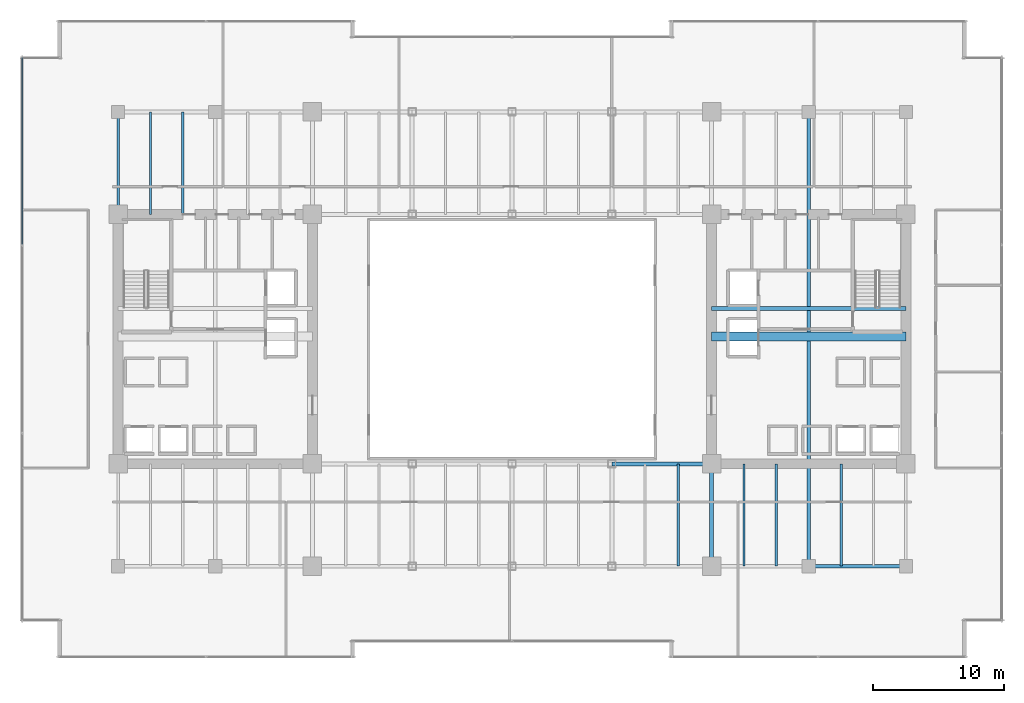
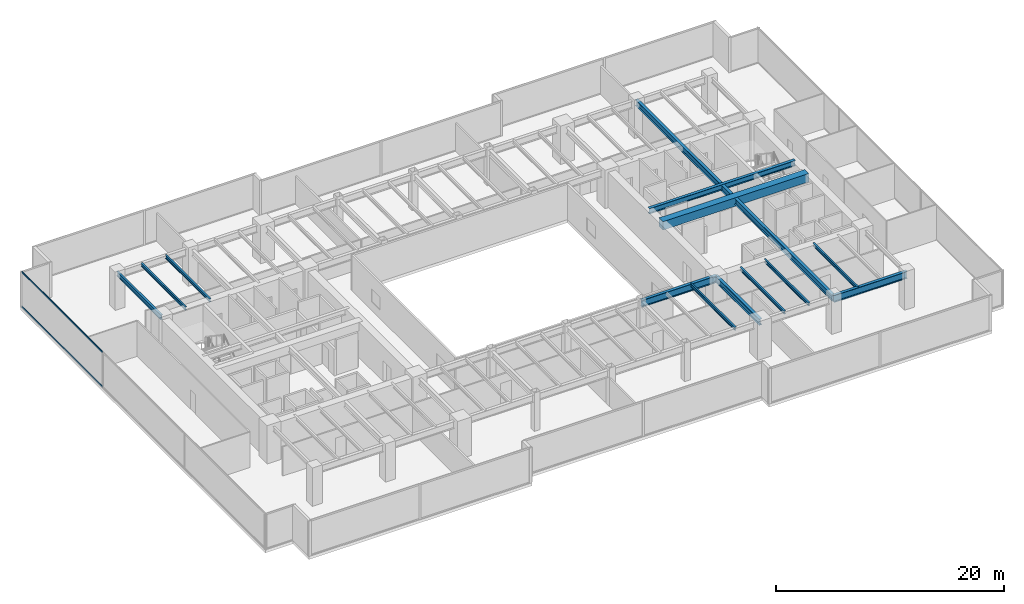
# One storey, part 11 of 35: 13 beams, 2 members, 1 element without a shape of its own.
"""IFC4 building model written with IfcOpenShell, lengths in metres."""

from ifc_helpers import new_model, si_unit, direction, frame, origin, origin_2d, place, context, subcontext, project, spatial, rectangle, hollow_rectangle, i_section, extrude, source, transform, mapped, material, layer, layer_set, material_profile, profile_set, type_object, type_shapes, element, aggregate, save


model = new_model("IFC4")

# Units and contexts
model_context = context("Model", 3, precision=1e-05, world=origin(), true_north=direction((0.0, 1.0)))
body_context = subcontext(model_context, "Body", "Model", "MODEL_VIEW")
ifc_project = project(units=[si_unit("LENGTHUNIT", "METRE"), si_unit("AREAUNIT", "SQUARE_METRE"), si_unit("VOLUMEUNIT", "CUBIC_METRE"), si_unit("PLANEANGLEUNIT", "RADIAN"), si_unit("MASSUNIT", "GRAM", prefix="KILO")], contexts=[model_context])

# Site, building, storey
site_placement = place(None, origin())
site = spatial("IfcSite", under=ifc_project, at=site_placement, CompositionType="ELEMENT")
building_placement = place(site_placement, origin())
building = spatial("IfcBuilding", under=site, at=building_placement, Name="Haelvirn Gate Laboratories", CompositionType="ELEMENT")
storey_placement = place(building_placement, frame((0.0, 0.0, 66.199951171875)))
storey = spatial("IfcBuildingStorey", under=building, at=storey_placement, Name="L16", CompositionType="ELEMENT", Elevation=66.199951171875)

# Beams
ifc_material_1 = material(Name="Concrete C60/75", Category="concrete")
ifc_material_profile_1 = material_profile(ifc_material_1, rectangle(XDim=0.699951171875, YDim=0.89990234375, at=origin_2d()), Name="RCB-700x900")
ifc_profile_set_1 = profile_set([ifc_material_profile_1], Name="Concrete C60/75")
beam_type_1 = type_object("IfcBeamType", Name="BM-RCB-900", PredefinedType="LINTEL", material=ifc_profile_set_1)
shared_shape_1 = source(origin(), body_context, "Body", "SweptSolid", [
    extrude(rectangle(XDim=0.699951171875, YDim=0.89990234375, at=origin_2d()), origin(), (0.0, 0.0, 1.0), 14.7998046875),
])
type_shapes(beam_type_1, [shared_shape_1])
beam_1_placement = place(storey_placement, frame((52.60009765625, 24.5, 3.330078125), z_axis=(1.0, 0.0, 0.0), x_axis=(0.0, 1.0, 0.0)))
element("IfcBeam", 1, at=beam_1_placement, inside=storey, type_object=beam_type_1, Name="L16 East Core Coupling Beam", PredefinedType="LINTEL", context=body_context, shape_type="MappedRepresentation", body=[
    mapped(shared_shape_1, transform((0.0, 0.0, 0.0), scale=1.0)),
])
ifc_material_2 = material(Name="Steel SM355", Category="steel")
ifc_material_profile_2 = material_profile(ifc_material_2, i_section(OverallWidth=0.300048828125, OverallDepth=0.587890625, WebThickness=0.011962890625, FlangeThickness=0.02001953125, at=origin_2d()), Name="H-588x300x12x20")
ifc_profile_set_2 = profile_set([ifc_material_profile_2], Name="Steel SM355")
beam_type_2 = type_object("IfcBeamType", Name="BM-G-588", PredefinedType="BEAM", material=ifc_profile_set_2)
shared_shape_2 = source(origin(), body_context, "Body", "SweptSolid", [
    extrude(i_section(OverallWidth=0.300048828125, OverallDepth=0.587890625, WebThickness=0.011962890625, FlangeThickness=0.02001953125, at=origin_2d()), origin(), (0.0, 0.0, 1.0), 14.7998046875),
])
type_shapes(beam_type_2, [shared_shape_2])
beam_2_placement = place(storey_placement, frame((52.60009765625, 26.6201171875, 3.486083984375), z_axis=(1.0, 0.0, 0.0), x_axis=(0.0, 1.0, 0.0)))
element("IfcBeam", 2, at=beam_2_placement, inside=storey, type_object=beam_type_2, Name="L16 Stair ST2 Landing Header", PredefinedType="BEAM", context=body_context, shape_type="MappedRepresentation", body=[
    mapped(shared_shape_2, transform((0.0, 0.0, 0.0), scale=1.0)),
])
ifc_material_profile_3 = material_profile(ifc_material_2, i_section(OverallWidth=0.300048828125, OverallDepth=0.75, WebThickness=0.013916015625, FlangeThickness=0.02392578125, at=origin_2d()), Name="H-750x300x14x24")
ifc_profile_set_3 = profile_set([ifc_material_profile_3], Name="Steel SM355")
beam_type_3 = type_object("IfcBeamType", Name="BM-G-750", PredefinedType="BEAM", material=ifc_profile_set_3)
shared_shape_3 = source(origin(), body_context, "Body", "SweptSolid", [
    extrude(i_section(OverallWidth=0.300048828125, OverallDepth=0.75, WebThickness=0.013916015625, FlangeThickness=0.02392578125, at=origin_2d()), origin(), (0.0, 0.0, 1.0), 7.39990234375),
])
beam_3_placement = place(storey_placement, frame((60.0, 7.0, 3.405029296875), z_axis=(1.0, 0.0, 0.0), x_axis=(0.0, 1.0, 0.0)))
element("IfcBeam", 3, at=beam_3_placement, inside=storey, type_object=beam_type_3, Name="L16 Primary Girder Y7.0 (60.0-67.4)", PredefinedType="BEAM", context=body_context, shape_type="MappedRepresentation", body=[
    mapped(shared_shape_3, transform((0.0, 0.0, 0.0), scale=1.0)),
])
shared_shape_4 = source(origin(), body_context, "Body", "SweptSolid", [
    extrude(i_section(OverallWidth=0.300048828125, OverallDepth=0.75, WebThickness=0.013916015625, FlangeThickness=0.02392578125, at=origin_2d()), origin(), (0.0, 0.0, 1.0), 7.60009765625),
])
type_shapes(beam_type_3, [shared_shape_3, shared_shape_4])
beam_4_placement = place(storey_placement, frame((45.0, 14.800048828125, 3.405029296875), z_axis=(1.0, 0.0, 0.0), x_axis=(0.0, 1.0, 0.0)))
element("IfcBeam", 4, at=beam_4_placement, inside=storey, type_object=beam_type_3, Name="L16 Primary Girder Y14.8 (45.0-52.6)", PredefinedType="BEAM", context=body_context, shape_type="MappedRepresentation", body=[
    mapped(shared_shape_4, transform((0.0, 0.0, 0.0), scale=1.0)),
])
ifc_material_profile_4 = material_profile(ifc_material_2, i_section(OverallWidth=0.199951171875, OverallDepth=0.5, WebThickness=0.010009765625, FlangeThickness=0.01611328125, at=origin_2d()), Name="H-500x200x10x16")
ifc_profile_set_4 = profile_set([ifc_material_profile_4], Name="Steel SM355")
beam_type_4 = type_object("IfcBeamType", Name="BM-SP-500", PredefinedType="SPANDREL", material=ifc_profile_set_4)
shared_shape_5 = source(origin(), body_context, "Body", "SweptSolid", [
    extrude(i_section(OverallWidth=0.199951171875, OverallDepth=0.5, WebThickness=0.010009765625, FlangeThickness=0.01611328125, at=origin_2d()), origin(), (0.0, 0.0, 1.0), 7.800048828125),
])
type_shapes(beam_type_4, [shared_shape_5])
beam_5_placement = place(storey_placement, frame((7.39990234375, 33.800048828125, 3.530029296875), z_axis=(0.0, 1.0, 0.0), x_axis=(-1.0, 0.0, 0.0)))
element("IfcBeam", 5, at=beam_5_placement, inside=storey, type_object=beam_type_4, Name="L16 Perimeter Spandrel X7.4 (33.8-41.6)", PredefinedType="SPANDREL", context=body_context, shape_type="MappedRepresentation", body=[
    mapped(shared_shape_5, transform((0.0, 0.0, 0.0), scale=1.0)),
])
ifc_material_profile_5 = material_profile(ifc_material_2, i_section(OverallWidth=0.175048828125, OverallDepth=0.35009765625, WebThickness=0.007080078125, FlangeThickness=0.010986328125, at=origin_2d()), Name="H-350x175x7x11")
ifc_profile_set_5 = profile_set([ifc_material_profile_5], Name="Steel SM355")
beam_type_5 = type_object("IfcBeamType", Name="BM-J-350", PredefinedType="JOIST", material=ifc_profile_set_5)
shared_shape_6 = source(origin(), body_context, "Body", "SweptSolid", [
    extrude(i_section(OverallWidth=0.175048828125, OverallDepth=0.35009765625, WebThickness=0.007080078125, FlangeThickness=0.010986328125, at=origin_2d()), origin(), (0.0, 0.0, 1.0), 7.800048828125),
])
type_shapes(beam_type_5, [shared_shape_6])
for number, where, z_axis, x_axis, name in (
    (6, (9.8701171875, 33.800048828125, 3.60498046875), (0.0, 1.0, 0.0), (-1.0, 0.0, 0.0), "L16 Composite Lab Joist North X9.87"),
    (7, (12.330078125, 33.800048828125, 3.60498046875), (0.0, 1.0, 0.0), (-1.0, 0.0, 0.0), "L16 Composite Lab Joist North X12.33"),
    (8, (50.070068359375, 7.0, 3.60498046875), (0.0, 1.0, 0.0), (-1.0, 0.0, 0.0), "L16 Composite Lab Joist South X50.07"),
    (9, (55.070068359375, 7.0, 3.60498046875), (0.0, 1.0, 0.0), (-1.0, 0.0, 0.0), "L16 Composite Lab Joist South X55.07"),
    (10, (57.530029296875, 7.0, 3.60498046875), (0.0, 1.0, 0.0), (-1.0, 0.0, 0.0), "L16 Composite Lab Joist South X57.53"),
    (11, (62.469970703125, 7.0, 3.60498046875), (0.0, 1.0, 0.0), (-1.0, 0.0, 0.0), "L16 Composite Lab Joist South X62.47"),
):
    element("IfcBeam", number, at=place(storey_placement, frame(where, z_axis=z_axis, x_axis=x_axis)), inside=storey, type_object=beam_type_5, Name=name, PredefinedType="JOIST", context=body_context, shape_type="MappedRepresentation", body=[
        mapped(shared_shape_6, transform((0.0, 0.0, 0.0), scale=1.0)),
    ])
ifc_material_profile_6 = material_profile(ifc_material_2, i_section(OverallWidth=0.300048828125, OverallDepth=0.64990234375, WebThickness=0.012939453125, FlangeThickness=0.02197265625, at=origin_2d()), Name="H-650x300x13x22")
ifc_profile_set_6 = profile_set([ifc_material_profile_6], Name="Steel SM355")
beam_type_6 = type_object("IfcBeamType", Name="BM-G-650", PredefinedType="BEAM", material=ifc_profile_set_6)
shared_shape_7 = source(origin(), body_context, "Body", "SweptSolid", [
    extrude(i_section(OverallWidth=0.300048828125, OverallDepth=0.64990234375, WebThickness=0.012939453125, FlangeThickness=0.02197265625, at=origin_2d()), origin(), (0.0, 0.0, 1.0), 34.60009765625),
])
beam_6_placement = place(storey_placement, frame((60.0, 7.0, 3.455078125), z_axis=(0.0, 1.0, 0.0), x_axis=(-1.0, 0.0, 0.0)))
element("IfcBeam", 12, at=beam_6_placement, inside=storey, type_object=beam_type_6, Name="L16 Frame Girder X60.0 (7.0-41.6)", PredefinedType="BEAM", context=body_context, shape_type="MappedRepresentation", body=[
    mapped(shared_shape_7, transform((0.0, 0.0, 0.0), scale=1.0)),
])
shared_shape_8 = source(origin(), body_context, "Body", "SweptSolid", [
    extrude(i_section(OverallWidth=0.300048828125, OverallDepth=0.64990234375, WebThickness=0.012939453125, FlangeThickness=0.02197265625, at=origin_2d()), origin(), (0.0, 0.0, 1.0), 7.800048828125),
])
type_shapes(beam_type_6, [shared_shape_7, shared_shape_8])
beam_7_placement = place(storey_placement, frame((52.60009765625, 7.0, 3.455078125), z_axis=(0.0, 1.0, 0.0), x_axis=(-1.0, 0.0, 0.0)))
element("IfcBeam", 13, at=beam_7_placement, inside=storey, type_object=beam_type_6, Name="L16 Frame Girder X52.6 (7.0-14.8)", PredefinedType="BEAM", context=body_context, shape_type="MappedRepresentation", body=[
    mapped(shared_shape_8, transform((0.0, 0.0, 0.0), scale=1.0)),
])

# Curtain wall, members
ifc_material_3 = material(Name="Anodised bronze unitised aluminium & triple low-E glass", Category="aluminium")
ifc_layer = layer(ifc_material_3, 0.18408203125, Name="CW-SYS-2")
ifc_layer_set = layer_set([ifc_layer], Name="Anodised bronze unitised aluminium & triple low-E glass")
curtain_wall_type = type_object("IfcCurtainWallType", Name="CW-SYS-2", PredefinedType="NOTDEFINED", material=ifc_layer_set)
curtain_wall_placement = place(storey_placement, origin())
curtain_wall = element("IfcCurtainWall", 14, at=curtain_wall_placement, inside=storey, type_object=curtain_wall_type, Name="L16 Unitised Curtain Wall CW-L16-P0-E17", PredefinedType="NOTDEFINED")
ifc_material_4 = material(Name="Extruded aluminium 6063-T6 (anodised bronze)", Category="aluminium")
ifc_material_profile_7 = material_profile(ifc_material_4, hollow_rectangle(XDim=0.070068359375, YDim=0.159912109375, WallThickness=0.0048828125, at=origin_2d()), Name="CWT-160x70x5")
ifc_profile_set_7 = profile_set([ifc_material_profile_7], Name="Extruded aluminium 6063-T6 (anodised bronze)")
member_type = type_object("IfcMemberType", Name="CWT-T160", PredefinedType="USERDEFINED", material=ifc_profile_set_7)
shared_shape_9 = source(origin(), body_context, "Body", "SweptSolid", [
    extrude(hollow_rectangle(XDim=0.070068359375, YDim=0.159912109375, WallThickness=0.0048828125, at=origin_2d()), origin(), (0.0, 0.0, 1.0), 14.220947265625),
])
type_shapes(member_type, [shared_shape_9])
member_1_placement = place(storey_placement, frame((0.10009765625, 45.72509765625, 0.03515625), z_axis=(0.0, -1.0, 0.0), x_axis=(1.0, 0.0, 0.0)))
member_1 = element("IfcMember", 15, at=member_1_placement, type_object=member_type, Name="CW2 transom 1.1", ObjectType="TRANSOM", PredefinedType="USERDEFINED", context=body_context, shape_type="MappedRepresentation", body=[
    mapped(shared_shape_9, transform((0.0, 0.0, 0.0), scale=1.0)),
])
member_2_placement = place(storey_placement, frame((0.10009765625, 45.72509765625, 3.7451171875), z_axis=(0.0, -1.0, 0.0), x_axis=(1.0, 0.0, 0.0)))
member_2 = element("IfcMember", 16, at=member_2_placement, type_object=member_type, Name="CW2 transom 1.2", ObjectType="TRANSOM", PredefinedType="USERDEFINED", context=body_context, shape_type="MappedRepresentation", body=[
    mapped(shared_shape_9, transform((0.0, 0.0, 0.0), scale=1.0)),
])
aggregate(curtain_wall, [member_1, member_2])

save(model, "model.ifc")
